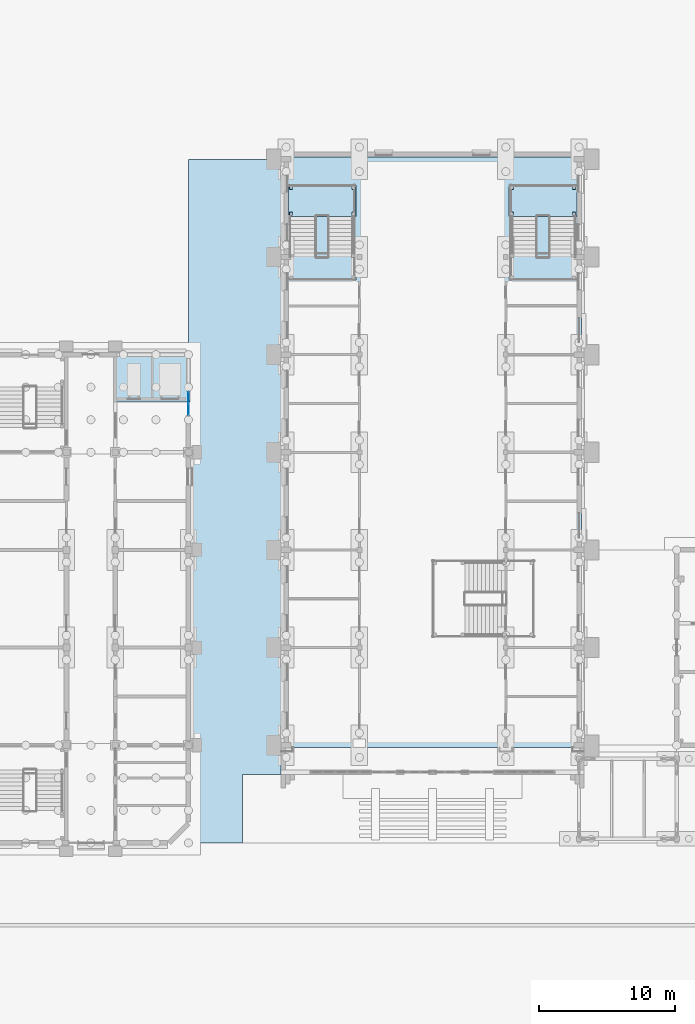
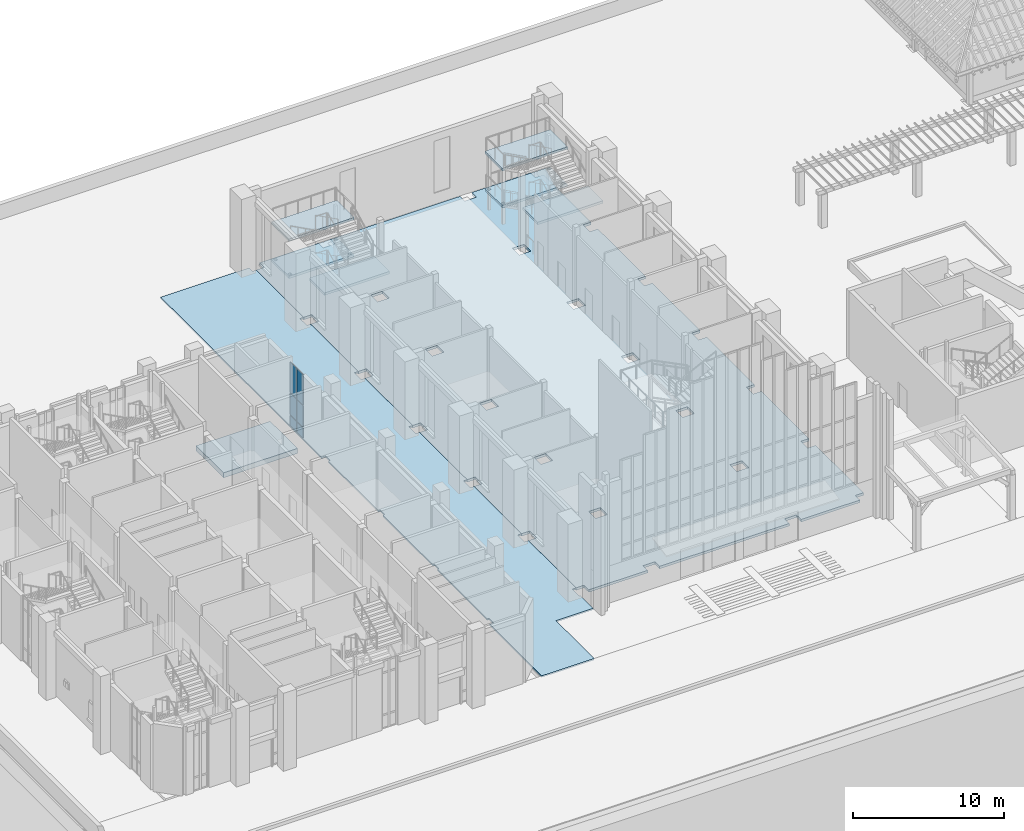
# One storey, part 25 of 84: 9 slabs, 6 plates, 3 elements without a shape of their own.
"""IFC4 building model written with IfcOpenShell, lengths in metres."""

from ifc_helpers import new_model, si_unit, direction, frame, origin, origin_2d, place, context, subcontext, project, spatial, polyline, rectangle, outline, extrude, material, layer, layer_set, type_object, element, aggregate, save


model = new_model("IFC4")

# Units and contexts
model_context = context("Model", 3, precision=1e-05, world=origin(), true_north=direction((0.0, 1.0)))
body_context = subcontext(model_context, "Body", "Model", "MODEL_VIEW")
ifc_project = project(units=[si_unit("LENGTHUNIT", "METRE"), si_unit("AREAUNIT", "SQUARE_METRE"), si_unit("VOLUMEUNIT", "CUBIC_METRE"), si_unit("PLANEANGLEUNIT", "RADIAN"), si_unit("MASSUNIT", "GRAM", prefix="KILO")], contexts=[model_context])

# Site, building, storey
site_placement = place(None, origin())
site = spatial("IfcSite", under=ifc_project, at=site_placement, CompositionType="ELEMENT")
building_placement = place(site_placement, origin())
building = spatial("IfcBuilding", under=site, at=building_placement, Name="Mazhai Court Health Centre", CompositionType="ELEMENT")
storey_placement = place(building_placement, origin())
storey = spatial("IfcBuildingStorey", under=building, at=storey_placement, Name="L00", CompositionType="ELEMENT", Elevation=0.0)

# Curtain wall, plates
ifc_material_1 = material(Name="Teak timber frame, glazed", Category="wood")
ifc_layer_1 = layer(ifc_material_1, 0.10009765625)
ifc_layer_set_1 = layer_set([ifc_layer_1], Name="CURTAIN WALL TIMBER 900")
curtain_wall_type = type_object("IfcCurtainWallType", Name="CURTAIN WALL TIMBER 900", PredefinedType="NOTDEFINED", material=ifc_layer_set_1)
curtain_wall_placement = place(storey_placement, origin())
curtain_wall = element("IfcCurtainWall", 1, at=curtain_wall_placement, inside=storey, type_object=curtain_wall_type, Name="CW-V5-L00-B4", PredefinedType="NOTDEFINED")
ifc_material_2 = material(Name="Glass IGU 28 mm", Category="glass")
ifc_layer_2 = layer(ifc_material_2, 0.028076171875)
ifc_layer_set_2 = layer_set([ifc_layer_2], Name="CW PANEL IGU 28")
plate_type = type_object("IfcPlateType", Name="CW PANEL IGU 28", PredefinedType="CURTAIN_PANEL", material=ifc_layer_set_2)
plate_1_placement = place(storey_placement, frame((35.0, 39.034912109375, 0.06005859375), z_axis=(0.0, 0.0, 1.0), x_axis=(0.0, -1.0, 0.0)))
plate_1 = element("IfcPlate", 2, at=plate_1_placement, type_object=plate_type, Name="CW panel 1.1", PredefinedType="CURTAIN_PANEL", context=body_context, shape_type="SweptSolid", body=[
    extrude(rectangle(XDim=0.81005859375, YDim=0.028076171875, at=origin_2d()), origin(), (0.0, 0.0, 1.0), 0.81005859375),
])
plate_2_placement = place(storey_placement, frame((35.0, 39.034912109375, 0.93017578125), z_axis=(0.0, 0.0, 1.0), x_axis=(0.0, -1.0, 0.0)))
plate_2 = element("IfcPlate", 3, at=plate_2_placement, type_object=plate_type, Name="CW panel 1.2", PredefinedType="CURTAIN_PANEL", context=body_context, shape_type="SweptSolid", body=[
    extrude(rectangle(XDim=0.81005859375, YDim=0.028076171875, at=origin_2d()), origin(), (0.0, 0.0, 1.0), 1.739990234375),
])
plate_3_placement = place(storey_placement, frame((35.0, 39.034912109375, 2.72998046875), z_axis=(0.0, 0.0, 1.0), x_axis=(0.0, -1.0, 0.0)))
plate_3 = element("IfcPlate", 4, at=plate_3_placement, type_object=plate_type, Name="CW panel 1.3", PredefinedType="CURTAIN_PANEL", context=body_context, shape_type="SweptSolid", body=[
    extrude(rectangle(XDim=0.81005859375, YDim=0.028076171875, at=origin_2d()), origin(), (0.0, 0.0, 1.0), 2.4599609375),
])
plate_4_placement = place(storey_placement, frame((35.0, 38.1650390625, 0.06005859375), z_axis=(0.0, 0.0, 1.0), x_axis=(0.0, -1.0, 0.0)))
plate_4 = element("IfcPlate", 5, at=plate_4_placement, type_object=plate_type, Name="CW panel 2.1", PredefinedType="CURTAIN_PANEL", context=body_context, shape_type="SweptSolid", body=[
    extrude(rectangle(XDim=0.81005859375, YDim=0.028076171875, at=origin_2d()), origin(), (0.0, 0.0, 1.0), 0.81005859375),
])
plate_5_placement = place(storey_placement, frame((35.0, 38.1650390625, 0.93017578125), z_axis=(0.0, 0.0, 1.0), x_axis=(0.0, -1.0, 0.0)))
plate_5 = element("IfcPlate", 6, at=plate_5_placement, type_object=plate_type, Name="CW panel 2.2", PredefinedType="CURTAIN_PANEL", context=body_context, shape_type="SweptSolid", body=[
    extrude(rectangle(XDim=0.81005859375, YDim=0.028076171875, at=origin_2d()), origin(), (0.0, 0.0, 1.0), 1.739990234375),
])
plate_6_placement = place(storey_placement, frame((35.0, 38.1650390625, 2.72998046875), z_axis=(0.0, 0.0, 1.0), x_axis=(0.0, -1.0, 0.0)))
plate_6 = element("IfcPlate", 7, at=plate_6_placement, type_object=plate_type, Name="CW panel 2.3", PredefinedType="CURTAIN_PANEL", context=body_context, shape_type="SweptSolid", body=[
    extrude(rectangle(XDim=0.81005859375, YDim=0.028076171875, at=origin_2d()), origin(), (0.0, 0.0, 1.0), 2.4599609375),
])
aggregate(curtain_wall, [plate_1, plate_2, plate_3, plate_4, plate_5, plate_6])

# Slabs
ifc_material_3 = material(Name="Concrete M35", Category="concrete")
ifc_layer_3 = layer(ifc_material_3, 0.199951171875)
ifc_layer_set_3 = layer_set([ifc_layer_3], Name="GROUND SLAB 200 M35")
slab_type_1 = type_object("IfcSlabType", Name="GROUND SLAB 200 M35", PredefinedType="BASESLAB", material=ifc_layer_set_3)
slab_1_placement = place(storey_placement, frame((0.0, 0.0, -0.199951171875)))
element("IfcSlab", 8, at=slab_1_placement, inside=storey, type_object=slab_type_1, Name="slab-ground-V1", PredefinedType="BASESLAB", context=body_context, shape_type="SweptSolid", body=[
    extrude(outline(polyline([(58.85009765625, 13.235107421875), (58.85009765625, 13.85009765625), (57.949951171875, 13.85009765625), (57.949951171875, 13.235107421875), (48.050048828125, 13.235107421875), (48.050048828125, 13.85009765625), (47.14990234375, 13.85009765625), (47.14990234375, 13.235107421875), (42.64990234375, 13.235107421875), (42.64990234375, 13.85009765625), (42.034912109375, 13.85009765625), (42.034912109375, 20.14990234375), (42.64990234375, 20.14990234375), (42.64990234375, 21.050048828125), (42.034912109375, 21.050048828125), (42.034912109375, 27.35009765625), (42.64990234375, 27.35009765625), (42.64990234375, 28.25), (42.034912109375, 28.25), (42.034912109375, 34.550048828125), (42.64990234375, 34.550048828125), (42.64990234375, 35.449951171875), (42.034912109375, 35.449951171875), (42.034912109375, 41.75), (42.64990234375, 41.75), (42.64990234375, 42.64990234375), (42.034912109375, 42.64990234375), (42.034912109375, 48.949951171875), (42.64990234375, 48.949951171875), (42.64990234375, 49.85009765625), (42.034912109375, 49.85009765625), (42.034912109375, 56.14990234375), (42.64990234375, 56.14990234375), (42.64990234375, 56.764892578125), (47.14990234375, 56.764892578125), (47.14990234375, 56.14990234375), (48.050048828125, 56.14990234375), (48.050048828125, 56.764892578125), (57.949951171875, 56.764892578125), (57.949951171875, 56.14990234375), (58.85009765625, 56.14990234375), (58.85009765625, 56.764892578125), (63.35009765625, 56.764892578125), (63.35009765625, 56.14990234375), (63.965087890625, 56.14990234375), (63.965087890625, 49.85009765625), (63.35009765625, 49.85009765625), (63.35009765625, 48.949951171875), (63.965087890625, 48.949951171875), (63.965087890625, 42.64990234375), (63.35009765625, 42.64990234375), (63.35009765625, 41.75), (63.965087890625, 41.75), (63.965087890625, 35.449951171875), (63.35009765625, 35.449951171875), (63.35009765625, 34.550048828125), (63.965087890625, 34.550048828125), (63.965087890625, 28.25), (63.35009765625, 28.25), (63.35009765625, 27.35009765625), (63.965087890625, 27.35009765625), (63.965087890625, 21.050048828125), (63.35009765625, 21.050048828125), (63.35009765625, 20.14990234375), (63.965087890625, 20.14990234375), (63.965087890625, 13.85009765625), (63.35009765625, 13.85009765625), (63.35009765625, 13.235107421875), (58.85009765625, 13.235107421875)]), holes=[polyline([(47.14990234375, 21.050048828125), (47.14990234375, 20.14990234375), (48.050048828125, 20.14990234375), (48.050048828125, 21.050048828125), (47.14990234375, 21.050048828125)]), polyline([(47.14990234375, 27.35009765625), (48.050048828125, 27.35009765625), (48.050048828125, 28.25), (47.14990234375, 28.25), (47.14990234375, 27.35009765625)]), polyline([(57.949951171875, 34.550048828125), (58.85009765625, 34.550048828125), (58.85009765625, 35.449951171875), (57.949951171875, 35.449951171875), (57.949951171875, 34.550048828125)]), polyline([(47.14990234375, 35.449951171875), (47.14990234375, 34.550048828125), (48.050048828125, 34.550048828125), (48.050048828125, 35.449951171875), (47.14990234375, 35.449951171875)]), polyline([(47.14990234375, 42.64990234375), (47.14990234375, 41.75), (48.050048828125, 41.75), (48.050048828125, 42.64990234375), (47.14990234375, 42.64990234375)]), polyline([(57.949951171875, 41.75), (58.85009765625, 41.75), (58.85009765625, 42.64990234375), (57.949951171875, 42.64990234375), (57.949951171875, 41.75)]), polyline([(47.14990234375, 49.85009765625), (47.14990234375, 48.949951171875), (48.050048828125, 48.949951171875), (48.050048828125, 49.85009765625), (47.14990234375, 49.85009765625)]), polyline([(57.949951171875, 48.949951171875), (58.85009765625, 48.949951171875), (58.85009765625, 49.85009765625), (57.949951171875, 49.85009765625), (57.949951171875, 48.949951171875)]), polyline([(57.949951171875, 21.050048828125), (57.949951171875, 20.14990234375), (58.85009765625, 20.14990234375), (58.85009765625, 21.050048828125), (57.949951171875, 21.050048828125)]), polyline([(57.949951171875, 28.25), (57.949951171875, 27.35009765625), (58.85009765625, 27.35009765625), (58.85009765625, 28.25), (57.949951171875, 28.25)])]), origin(), (0.0, 0.0, 1.0), 0.199951171875),
])
ifc_material_4 = material(Name="Concrete M30", Category="concrete")
ifc_layer_4 = layer(ifc_material_4, 0.1201171875)
ifc_layer_set_4 = layer_set([ifc_layer_4], Name="PAVING 120 CONCRETE M30")
slab_type_2 = type_object("IfcSlabType", Name="PAVING 120 CONCRETE M30", PredefinedType="BASESLAB", material=ifc_layer_set_4)
slab_2_placement = place(storey_placement, frame((0.0, 0.0, -0.1201171875)))
element("IfcSlab", 9, at=slab_2_placement, inside=storey, type_object=slab_type_2, Name="paving-P1", PredefinedType="BASESLAB", context=body_context, shape_type="SweptSolid", body=[
    extrude(outline(polyline([(35.0, 13.10009765625), (35.300048828125, 13.10009765625), (35.300048828125, 13.699951171875), (35.1650390625, 13.699951171875), (35.1650390625, 20.300048828125), (35.300048828125, 20.300048828125), (35.300048828125, 20.89990234375), (35.1650390625, 20.89990234375), (35.1650390625, 27.5), (35.300048828125, 27.5), (35.300048828125, 28.10009765625), (35.1650390625, 28.10009765625), (35.1650390625, 34.699951171875), (35.300048828125, 34.699951171875), (35.300048828125, 35.300048828125), (35.0, 35.300048828125), (35.0, 56.60009765625), (41.75, 56.60009765625), (41.75, 56.14990234375), (42.034912109375, 56.14990234375), (42.034912109375, 49.85009765625), (41.75, 49.85009765625), (41.75, 48.949951171875), (42.034912109375, 48.949951171875), (42.034912109375, 42.64990234375), (41.75, 42.64990234375), (41.75, 41.75), (42.034912109375, 41.75), (42.034912109375, 35.449951171875), (41.75, 35.449951171875), (41.75, 34.550048828125), (42.034912109375, 34.550048828125), (42.034912109375, 28.25), (41.75, 28.25), (41.75, 27.35009765625), (42.034912109375, 27.35009765625), (42.034912109375, 21.050048828125), (41.75, 21.050048828125), (41.75, 20.14990234375), (42.034912109375, 20.14990234375), (42.034912109375, 13.85009765625), (41.75, 13.85009765625), (41.75, 12.949951171875), (41.840087890625, 12.949951171875), (41.840087890625, 11.235107421875), (39.0, 11.235107421875), (39.0, 6.199951171875), (35.0, 6.199951171875), (35.0, 13.10009765625)])), origin(), (0.0, 0.0, 1.0), 0.1201171875),
])
ifc_material_5 = material(Name="Concrete M40", Category="concrete")
ifc_layer_5 = layer(ifc_material_5, 0.39990234375)
ifc_layer_set_5 = layer_set([ifc_layer_5], Name="RC LIFT PIT SLAB 400 M40")
slab_type_3 = type_object("IfcSlabType", Name="RC LIFT PIT SLAB 400 M40", PredefinedType="BASESLAB", material=ifc_layer_set_5)
slab_3_placement = place(storey_placement, frame((0.0, 0.0, -1.800048828125)))
element("IfcSlab", 10, at=slab_3_placement, inside=storey, type_object=slab_type_3, Name="core-C5-pit-slab", PredefinedType="BASESLAB", context=body_context, shape_type="SweptSolid", body=[
    extrude(outline(polyline([(29.47509765625, 38.7099609375), (29.47509765625, 42.324951171875), (35.125, 42.324951171875), (35.125, 38.7099609375), (29.47509765625, 38.7099609375)])), origin(), (0.0, 0.0, 1.0), 0.400146484375),
])

# Stair, slabs
ifc_material_6 = material(Name="Concrete M40", Category="concrete")
stair_type = type_object("IfcStairType", Name="RC STAIR 2000 42R", PredefinedType="DOUBLE_RETURN_STAIR", material=ifc_material_6)
stair_1_placement = place(storey_placement, origin())
stair_1 = element("IfcStair", 11, at=stair_1_placement, inside=storey, type_object=stair_type, Name="L00 Stair 11", PredefinedType="DOUBLE_RETURN_STAIR")
ifc_material_7 = material(Name="Concrete M40", Category="concrete")
ifc_layer_6 = layer(ifc_material_7, 0.199951171875)
ifc_layer_set_6 = layer_set([ifc_layer_6], Name="RC STAIR LANDING 200 M40")
slab_type_4 = type_object("IfcSlabType", Name="RC STAIR LANDING 200 M40", PredefinedType="LANDING", material=ifc_layer_set_6)
slab_4_placement = place(storey_placement, frame((0.0, 0.0, 1.449951171875)))
slab_4 = element("IfcSlab", 12, at=slab_4_placement, type_object=slab_type_4, Name="ST11 landing 1", PredefinedType="LANDING", context=body_context, shape_type="SweptSolid", body=[
    extrude(outline(polyline([(47.35009765625, 52.39990234375), (47.35009765625, 54.699951171875), (42.364990234375, 54.699951171875), (42.364990234375, 52.39990234375), (47.35009765625, 52.39990234375)]), holes=[polyline([(42.465087890625, 52.4951171875), (42.675048828125, 52.4951171875), (42.675048828125, 52.705078125), (42.465087890625, 52.705078125), (42.465087890625, 52.4951171875)]), polyline([(42.465087890625, 54.39501953125), (42.675048828125, 54.39501953125), (42.675048828125, 54.60498046875), (42.465087890625, 54.60498046875), (42.465087890625, 54.39501953125)]), polyline([(47.044921875, 52.4951171875), (47.2548828125, 52.4951171875), (47.2548828125, 52.705078125), (47.044921875, 52.705078125), (47.044921875, 52.4951171875)]), polyline([(47.044921875, 54.39501953125), (47.2548828125, 54.39501953125), (47.2548828125, 54.60498046875), (47.044921875, 54.60498046875), (47.044921875, 54.39501953125)])]), origin(), (0.0, 0.0, 1.0), 0.199951171875),
])
slab_5_placement = place(storey_placement, frame((0.0, 0.0, 2.949951171875)))
slab_5 = element("IfcSlab", 13, at=slab_5_placement, type_object=slab_type_4, Name="ST11 landing 2", PredefinedType="LANDING", context=body_context, shape_type="SweptSolid", body=[
    extrude(outline(polyline([(47.35009765625, 47.699951171875), (47.35009765625, 49.699951171875), (42.364990234375, 49.699951171875), (42.364990234375, 47.699951171875), (47.35009765625, 47.699951171875)])), origin(), (0.0, 0.0, 1.0), 0.199951171875),
])
slab_6_placement = place(storey_placement, frame((0.0, 0.0, 4.449951171875)))
slab_6 = element("IfcSlab", 14, at=slab_6_placement, type_object=slab_type_4, Name="ST11 landing 3", PredefinedType="LANDING", context=body_context, shape_type="SweptSolid", body=[
    extrude(outline(polyline([(47.35009765625, 52.39990234375), (47.35009765625, 54.699951171875), (42.364990234375, 54.699951171875), (42.364990234375, 52.39990234375), (47.35009765625, 52.39990234375)])), origin(), (0.0, 0.0, 1.0), 0.199951171875),
])
aggregate(stair_1, [slab_4, slab_5, slab_6])

stair_2_placement = place(storey_placement, origin())
stair_2 = element("IfcStair", 15, at=stair_2_placement, inside=storey, type_object=stair_type, Name="L00 Stair 12", PredefinedType="DOUBLE_RETURN_STAIR")
slab_7_placement = place(storey_placement, frame((0.0, 0.0, 1.449951171875)))
slab_7 = element("IfcSlab", 16, at=slab_7_placement, type_object=slab_type_4, Name="ST12 landing 1", PredefinedType="LANDING", context=body_context, shape_type="SweptSolid", body=[
    extrude(outline(polyline([(63.635009765625, 52.39990234375), (63.635009765625, 54.699951171875), (58.64990234375, 54.699951171875), (58.64990234375, 52.39990234375), (63.635009765625, 52.39990234375)]), holes=[polyline([(58.7451171875, 52.4951171875), (58.955078125, 52.4951171875), (58.955078125, 52.705078125), (58.7451171875, 52.705078125), (58.7451171875, 52.4951171875)]), polyline([(58.7451171875, 54.39501953125), (58.955078125, 54.39501953125), (58.955078125, 54.60498046875), (58.7451171875, 54.60498046875), (58.7451171875, 54.39501953125)]), polyline([(63.324951171875, 52.4951171875), (63.534912109375, 52.4951171875), (63.534912109375, 52.705078125), (63.324951171875, 52.705078125), (63.324951171875, 52.4951171875)]), polyline([(63.324951171875, 54.39501953125), (63.534912109375, 54.39501953125), (63.534912109375, 54.60498046875), (63.324951171875, 54.60498046875), (63.324951171875, 54.39501953125)])]), origin(), (0.0, 0.0, 1.0), 0.199951171875),
])
slab_8_placement = place(storey_placement, frame((0.0, 0.0, 2.949951171875)))
slab_8 = element("IfcSlab", 17, at=slab_8_placement, type_object=slab_type_4, Name="ST12 landing 2", PredefinedType="LANDING", context=body_context, shape_type="SweptSolid", body=[
    extrude(outline(polyline([(63.635009765625, 47.699951171875), (63.635009765625, 49.699951171875), (58.64990234375, 49.699951171875), (58.64990234375, 47.699951171875), (63.635009765625, 47.699951171875)])), origin(), (0.0, 0.0, 1.0), 0.199951171875),
])
slab_9_placement = place(storey_placement, frame((0.0, 0.0, 4.449951171875)))
slab_9 = element("IfcSlab", 18, at=slab_9_placement, type_object=slab_type_4, Name="ST12 landing 3", PredefinedType="LANDING", context=body_context, shape_type="SweptSolid", body=[
    extrude(outline(polyline([(63.635009765625, 52.39990234375), (63.635009765625, 54.699951171875), (58.64990234375, 54.699951171875), (58.64990234375, 52.39990234375), (63.635009765625, 52.39990234375)])), origin(), (0.0, 0.0, 1.0), 0.199951171875),
])
aggregate(stair_2, [slab_7, slab_8, slab_9])

save(model, "model.ifc")
